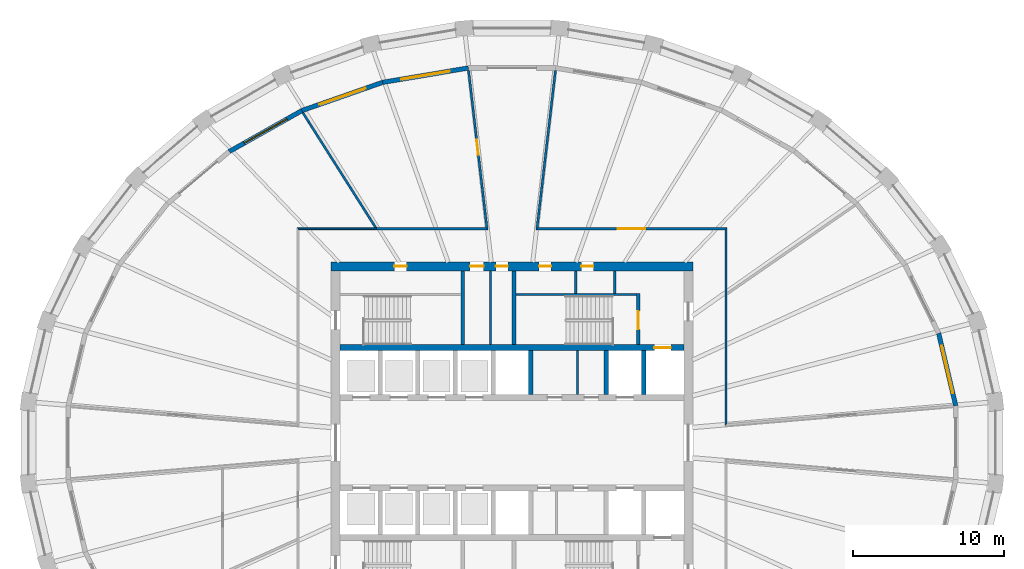
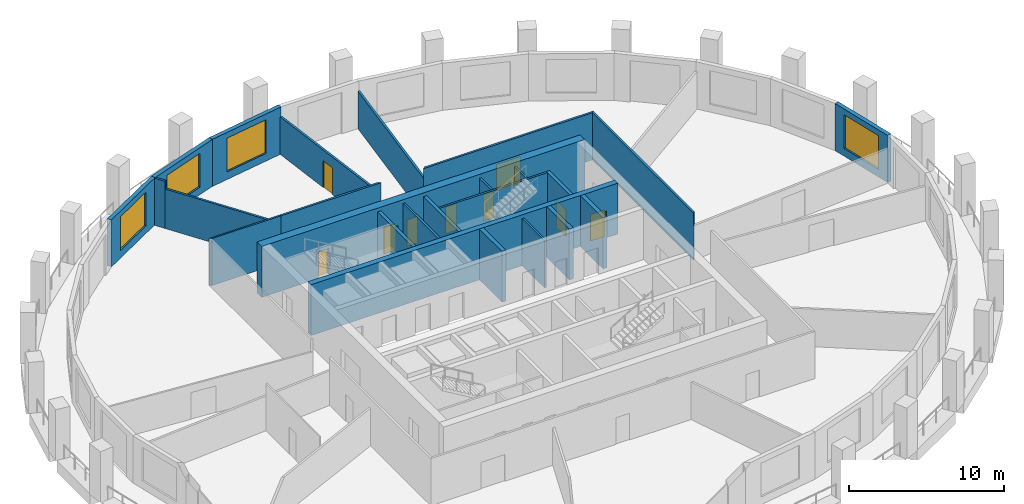
# One storey, part 6 of 10: 25 walls, 9 doors, 4 windows, 13 openings.
"""IFC4 building model written with IfcOpenShell, lengths in metres."""

from ifc_helpers import new_model, si_unit, direction, frame, frame_2d, origin, place, context, subcontext, project, spatial, polyline, rectangle, outline, extrude, material, layer, layer_set, type_object, element, fill, save


model = new_model("IFC4")

# Units and contexts
model_context = context("Model", 3, precision=1e-05, world=origin(), true_north=direction((0.0, 1.0)))
body_context = subcontext(model_context, "Body", "Model", "MODEL_VIEW")
ifc_project = project(units=[si_unit("LENGTHUNIT", "METRE"), si_unit("AREAUNIT", "SQUARE_METRE"), si_unit("VOLUMEUNIT", "CUBIC_METRE"), si_unit("PLANEANGLEUNIT", "RADIAN"), si_unit("MASSUNIT", "GRAM", prefix="KILO")], contexts=[model_context])

# Site, building, storey
site_placement = place(None, origin())
site = spatial("IfcSite", under=ifc_project, at=site_placement, CompositionType="ELEMENT")
building_placement = place(site_placement, origin())
building = spatial("IfcBuilding", under=site, at=building_placement, Name="Halqa Exchange Tower", CompositionType="ELEMENT")
storey_placement = place(building_placement, frame((0.0, 0.0, 202.89990234375)))
storey = spatial("IfcBuildingStorey", under=building, at=storey_placement, Name="L46", CompositionType="ELEMENT", Elevation=202.89990234375)

# Walls
ifc_material_1 = material(Name="Fire-rated gypsum board")
ifc_layer_1 = layer(ifc_material_1, 0.14990234375)
ifc_layer_set_1 = layer_set([ifc_layer_1], Name="Fire-rated gypsum board")
wall_type_1 = type_object("IfcWallType", Name="Fire partition EI 60 150", PredefinedType="PARTITIONING", material=ifc_layer_set_1)
wall_1_placement = place(storey_placement, frame((-9.022216796875, 14.235107421875, 0.0), z_axis=(0.0, 0.0, 1.0), x_axis=(-0.535448600055, 0.844567816519, 0.0)))
element("IfcWall", 1, at=wall_1_placement, inside=storey, type_object=wall_type_1, Name="L46-PWL-009", PredefinedType="PARTITIONING", context=body_context, shape_type="SweptSolid", body=[
    extrude(outline(polyline([(8.31884765625, 0.074951171875), (6.67041015625, 0.074951171875), (5.022216796875, 0.074951171875), (3.373779296875, 0.074951171875), (1.725341796875, 0.074951171875), (0.076904296875, 0.074951171875), (0.009033203125, -0.031982421875), (0.021728515625, -0.0400390625), (0.0, -0.074462890625), (0.0, -0.074951171875), (1.663818359375, -0.074951171875), (3.32763671875, -0.074951171875), (4.9912109375, -0.074951171875), (6.655029296875, -0.074951171875), (8.31884765625, -0.074951171875), (8.31884765625, 0.074951171875)])), origin(), (0.0, 0.0, 1.0), 3.10009765625),
])
wall_2_placement = place(storey_placement, frame((-9.0, 14.199951171875, 0.0), z_axis=(0.0, 0.0, 1.0), x_axis=(1.0, 0.0, 0.0)))
element("IfcWall", 2, at=wall_2_placement, inside=storey, type_object=wall_type_1, Name="L46-PWL-010", PredefinedType="PARTITIONING", context=body_context, shape_type="SweptSolid", body=[
    extrude(outline(polyline([(0.0, -0.074951171875), (1.85595703125, -0.074951171875), (3.712158203125, -0.074951171875), (5.568115234375, -0.074951171875), (7.42431640625, -0.074951171875), (7.255859375, 0.074951171875), (5.44189453125, 0.074951171875), (3.6279296875, 0.074951171875), (1.81396484375, 0.074951171875), (0.0, 0.074951171875), (0.0, -0.074951171875)])), origin(), (0.0, 0.0, 1.0), 3.7001953125),
])

# Wall, opening, door
wall_3_placement = place(storey_placement, frame((-1.650146484375, 14.1162109375, 0.0), z_axis=(0.0, 0.0, 1.0), x_axis=(-0.115779808049, 0.99327490457, 0.0)))
wall_3 = element("IfcWall", 3, at=wall_3_placement, inside=storey, type_object=wall_type_1, Name="L46-PWL-012", PredefinedType="PARTITIONING", context=body_context, shape_type="SweptSolid", body=[
    extrude(outline(polyline([(0.0, -0.074951171875), (1.776611328125, -0.074951171875), (3.552978515625, -0.074951171875), (5.329345703125, -0.074951171875), (7.105712890625, -0.074951171875), (8.88232421875, -0.074951171875), (10.65869140625, -0.074951171875), (10.66357421875, -0.032958984375), (10.66357421875, 0.074951171875), (8.914306640625, 0.074951171875), (7.165283203125, 0.074951171875), (5.416015625, 0.074951171875), (3.666748046875, 0.074951171875), (1.917724609375, 0.074951171875), (0.16845703125, 0.074951171875), (0.08447265625, 0.0), (0.0, -0.074951171875)])), origin(), (0.0, 0.0, 1.0), 2.947021484375),
])
opening_1_placement = place(wall_3_placement, frame((5.02587890625, 0.0, 0.0)))
opening_1 = element("IfcOpeningElement", 4, at=opening_1_placement, cuts=wall_3, Name="Opening 14-01", PredefinedType="OPENING", context=body_context, shape_type="SweptSolid", body=[
    extrude(rectangle(XDim=1.0, YDim=2.10009765625, at=frame_2d((0.5, 1.050048828125))), frame((0.0, 0.0869140625, 0.0), z_axis=(0.0, -1.0, 0.0), x_axis=(1.0, 0.0, 0.0)), (0.0, 0.0, 1.0), 0.173828125),
])
ifc_material_2 = material(Name="Steel fire door leaf", Category="steel")
door_type_1 = type_object("IfcDoorType", Name="Fire door FD30S 1000 x 2100", OperationType="SINGLE_SWING_LEFT", PredefinedType="DOOR", material=ifc_material_2)
door_1_placement = place(opening_1_placement, origin())
door_1 = element("IfcDoor", 5, at=door_1_placement, inside=storey, type_object=door_type_1, Name="L46-IDR-001", OperationType="SINGLE_SWING_LEFT", OverallHeight=2.10009765625, OverallWidth=1.0, PredefinedType="DOOR", context=body_context, shape_type="SweptSolid", body=[
    extrude(rectangle(XDim=1.0, YDim=2.10009765625, at=frame_2d((0.5, 1.050048828125))), frame((0.0, 0.02490234375, 0.0), z_axis=(0.0, -1.0, 0.0), x_axis=(1.0, 0.0, 0.0)), (0.0, 0.0, 1.0), 0.050048828125),
])
fill(opening_1, door_1)

wall_4_placement = place(storey_placement, frame((1.57568359375, 14.199951171875, 0.0), z_axis=(0.0, 0.0, 1.0), x_axis=(1.0, 0.0, 0.0)))
wall_4 = element("IfcWall", 6, at=wall_4_placement, inside=storey, type_object=wall_type_1, Name="L46-PWL-013", PredefinedType="PARTITIONING", context=body_context, shape_type="SweptSolid", body=[
    extrude(outline(polyline([(0.0, -0.074951171875), (1.792724609375, -0.074951171875), (3.58544921875, -0.074951171875), (5.37841796875, -0.074951171875), (7.171142578125, -0.074951171875), (8.9638671875, -0.074951171875), (10.756591796875, -0.074951171875), (12.54931640625, -0.074951171875), (12.69921875, 0.074951171875), (10.9091796875, 0.074951171875), (9.118896484375, 0.074951171875), (7.328857421875, 0.074951171875), (5.538818359375, 0.074951171875), (3.748779296875, 0.074951171875), (1.95849609375, 0.074951171875), (0.16845703125, 0.074951171875), (0.0, -0.074951171875)])), origin(), (0.0, 0.0, 1.0), 3.7001953125),
])
opening_2_placement = place(wall_4_placement, frame((5.4541015625, 0.0, 0.0)))
opening_2 = element("IfcOpeningElement", 7, at=opening_2_placement, cuts=wall_4, Name="Opening 14-09", PredefinedType="OPENING", context=body_context, shape_type="SweptSolid", body=[
    extrude(rectangle(XDim=1.800048828125, YDim=2.10009765625, at=frame_2d((0.89990234375, 1.050048828125))), frame((0.0, 0.0869140625, 0.0), z_axis=(0.0, -1.0, 0.0), x_axis=(1.0, 0.0, 0.0)), (0.0, 0.0, 1.0), 0.173828125),
])
door_type_2 = type_object("IfcDoorType", Name="Fire door FD30S double 1800 x 2100", OperationType="DOUBLE_DOOR_SINGLE_SWING", PredefinedType="DOOR", material=ifc_material_2)
door_2_placement = place(opening_2_placement, origin())
door_2 = element("IfcDoor", 8, at=door_2_placement, inside=storey, type_object=door_type_2, Name="L46-IDR-009", OperationType="DOUBLE_DOOR_SINGLE_SWING", OverallHeight=2.10009765625, OverallWidth=1.800048828125, PredefinedType="DOOR", context=body_context, shape_type="SweptSolid", body=[
    extrude(rectangle(XDim=1.800048828125, YDim=2.10009765625, at=frame_2d((0.89990234375, 1.050048828125))), frame((0.0, 0.02490234375, 0.0), z_axis=(0.0, -1.0, 0.0), x_axis=(1.0, 0.0, 0.0)), (0.0, 0.0, 1.0), 0.050048828125),
])
fill(opening_2, door_2)

# Walls
wall_5_placement = place(storey_placement, frame((2.884765625, 24.7080078125, 0.0), z_axis=(0.0, 0.0, 1.0), x_axis=(-0.115779808049, -0.99327490457, 0.0)))
element("IfcWall", 9, at=wall_5_placement, inside=storey, type_object=wall_type_1, Name="L46-PWL-014", PredefinedType="PARTITIONING", context=body_context, shape_type="SweptSolid", body=[
    extrude(outline(polyline([(0.0048828125, -0.074951171875), (1.78125, -0.074951171875), (3.5576171875, -0.074951171875), (5.334228515625, -0.074951171875), (7.110595703125, -0.074951171875), (8.886962890625, -0.074951171875), (10.663330078125, -0.074951171875), (10.5791015625, 0.0), (10.4951171875, 0.074951171875), (8.745849609375, 0.074951171875), (6.99658203125, 0.074951171875), (5.24755859375, 0.074951171875), (3.498291015625, 0.074951171875), (1.749267578125, 0.074951171875), (0.0, 0.074951171875), (0.0, -0.03369140625), (0.0048828125, -0.074951171875)])), origin(), (0.0, 0.0, 1.0), 2.947021484375),
])
wall_6_placement = place(storey_placement, frame((14.199951171875, 1.098388671875, 0.0), z_axis=(0.0, 0.0, 1.0), x_axis=(0.0, 1.0, 0.0)))
element("IfcWall", 10, at=wall_6_placement, inside=storey, type_object=wall_type_1, Name="L46-PWL-018", PredefinedType="PARTITIONING", context=body_context, shape_type="SweptSolid", body=[
    extrude(outline(polyline([(0.1630859375, -0.074951171875), (2.02197265625, -0.074951171875), (3.881103515625, -0.074951171875), (5.740234375, -0.074951171875), (7.599365234375, -0.074951171875), (9.458251953125, -0.074951171875), (11.3173828125, -0.074951171875), (13.176513671875, -0.074951171875), (13.026611328125, 0.074951171875), (11.165771484375, 0.074951171875), (9.3046875, 0.074951171875), (7.44384765625, 0.074951171875), (5.5830078125, 0.074951171875), (3.721923828125, 0.074951171875), (1.861083984375, 0.074951171875), (0.0, 0.074951171875), (0.1630859375, -0.074951171875)])), origin(), (0.0, 0.0, 1.0), 3.7001953125),
])
wall_7_placement = place(storey_placement, frame((-13.4765625, 21.260986328125, 0.0), z_axis=(0.0, 0.0, 1.0), x_axis=(-0.53535127514, 0.844629511802, 0.0)))
element("IfcWall", 11, at=wall_7_placement, inside=storey, type_object=wall_type_1, Name="L46-PWL-022", PredefinedType="PARTITIONING", context=body_context, shape_type="SweptSolid", body=[
    extrude(outline(polyline([(0.0, -0.074951171875), (0.73681640625, -0.074951171875), (0.753173828125, -0.004150390625), (0.757080078125, 0.069580078125), (0.757080078125, 0.074951171875), (0.0, 0.074951171875), (0.0, -0.074951171875)])), origin(), (0.0, 0.0, 1.0), 3.7001953125),
])
ifc_material_3 = material(Name="Fire-rated glazing", Category="glass")
ifc_layer_2 = layer(ifc_material_3, 0.1201171875)
ifc_layer_set_2 = layer_set([ifc_layer_2], Name="Fire-rated glazing")
wall_type_2 = type_object("IfcWallType", Name="Glazed fire partition EI 60 120", PredefinedType="PARTITIONING", material=ifc_layer_set_2)
wall_8_placement = place(storey_placement, frame((-14.260009765625, 14.199951171875, 0.0), z_axis=(0.0, 0.0, 1.0), x_axis=(1.0, 0.0, 0.0)))
element("IfcWall", 12, at=wall_8_placement, inside=storey, type_object=wall_type_2, Name="L46-PWL-008", PredefinedType="PARTITIONING", context=body_context, shape_type="SweptSolid", body=[
    extrude(outline(polyline([(5.260009765625, 0.06005859375), (3.506591796875, 0.06005859375), (1.75341796875, 0.06005859375), (0.0, 0.06005859375), (0.1201171875, -0.06005859375), (1.83349609375, -0.06005859375), (3.546630859375, -0.06005859375), (5.260009765625, -0.06005859375), (5.260009765625, 0.06005859375)])), origin(), (0.0, 0.0, 1.0), 3.7001953125),
])
ifc_material_4 = material(Name="Gypsum board")
ifc_layer_3 = layer(ifc_material_4, 0.14990234375)
ifc_layer_set_3 = layer_set([ifc_layer_3], Name="Gypsum board")
wall_type_3 = type_object("IfcWallType", Name="Penthouse riser wall 150 gypsum", PredefinedType="PARTITIONING", material=ifc_layer_set_3)
wall_9_placement = place(storey_placement, frame((-1.425048828125, 6.5, 0.0), z_axis=(0.0, 0.0, 1.0), x_axis=(0.0, 1.0, 0.0)))
element("IfcWall", 13, at=wall_9_placement, inside=storey, type_object=wall_type_3, Name="Partition W1.425 N", PredefinedType="PARTITIONING", context=body_context, shape_type="SweptSolid", body=[
    extrude(rectangle(XDim=4.89990234375, YDim=0.14990234375, at=frame_2d((2.449951171875, 0.0))), origin(), (0.0, 0.0, 1.0), 3.7001953125),
])
for number, where, z_axis, x_axis, name in (
    (14, (4.22509765625, 9.89990234375, 0.0), (0.0, 0.0, 1.0), (0.0, 1.0, 0.0), "Partition E4.225 N"),
    (15, (6.824951171875, 9.89990234375, 0.0), (0.0, 0.0, 1.0), (0.0, 1.0, 0.0), "Firefighting lobby west wall N"),
):
    element("IfcWall", number, at=place(storey_placement, frame(where, z_axis=z_axis, x_axis=x_axis)), inside=storey, type_object=wall_type_3, Name=name, PredefinedType="PARTITIONING", context=body_context, shape_type="SweptSolid", body=[
        extrude(rectangle(XDim=1.5, YDim=0.14990234375, at=frame_2d((0.75, 0.0))), origin(), (0.0, 0.0, 1.0), 3.7001953125),
    ])
wall_10_placement = place(storey_placement, frame((4.35009765625, 3.199951171875, 0.0), z_axis=(0.0, 0.0, 1.0), x_axis=(0.0, 1.0, 0.0)))
element("IfcWall", 16, at=wall_10_placement, inside=storey, type_object=wall_type_3, Name="Freed bay partition NE4.350", PredefinedType="PARTITIONING", context=body_context, shape_type="SweptSolid", body=[
    extrude(rectangle(XDim=2.900146484375, YDim=0.14990234375, at=frame_2d((1.4501953125, 0.0))), origin(), (0.0, 0.0, 1.0), 3.7001953125),
])
ifc_material_5 = material(Name="Concrete C60/75", Category="concrete")
ifc_layer_4 = layer(ifc_material_5, 0.300048828125)
ifc_layer_set_4 = layer_set([ifc_layer_4], Name="Concrete C60/75")
wall_type_4 = type_object("IfcWallType", Name="RC core wall 300", PredefinedType="SHEAR", material=ifc_layer_set_4)
for number, where, z_axis, x_axis, name in (
    (17, (1.25, 3.199951171875, 0.0), (0.0, 0.0, 1.0), (0.0, 1.0, 0.0), "Shaft divider N5"),
    (18, (6.25, 3.199951171875, 0.0), (0.0, 0.0, 1.0), (0.0, 1.0, 0.0), "Shaft divider N7"),
    (19, (8.75, 3.199951171875, 0.0), (0.0, 0.0, 1.0), (0.0, 1.0, 0.0), "Shaft divider N8"),
):
    element("IfcWall", number, at=place(storey_placement, frame(where, z_axis=z_axis, x_axis=x_axis)), inside=storey, type_object=wall_type_4, Name=name, PredefinedType="SHEAR", context=body_context, shape_type="SweptSolid", body=[
        extrude(rectangle(XDim=2.900146484375, YDim=0.300048828125, at=frame_2d((1.4501953125, 0.0))), origin(), (0.0, 0.0, 1.0), 4.0),
    ])

# Wall, opening, door
ifc_material_6 = material(Name="Concrete C70/85", Category="concrete")
ifc_layer_5 = layer(ifc_material_6, 0.39990234375)
ifc_layer_set_5 = layer_set([ifc_layer_5], Name="Concrete C70/85")
wall_type_5 = type_object("IfcWallType", Name="RC core wall 400 C70/85", PredefinedType="SHEAR", material=ifc_layer_set_5)
wall_11_placement = place(storey_placement, frame((-11.39990234375, 6.300048828125, 0.0), z_axis=(0.0, 0.0, 1.0), x_axis=(1.0, 0.0, 0.0)))
wall_11 = element("IfcWall", 20, at=wall_11_placement, inside=storey, type_object=wall_type_5, Name="Lift row back wall N", PredefinedType="SHEAR", context=body_context, shape_type="SweptSolid", body=[
    extrude(rectangle(XDim=22.7998046875, YDim=0.39990234375, at=frame_2d((11.39990234375, 0.0))), origin(), (0.0, 0.0, 1.0), 4.0),
])
opening_3_placement = place(wall_11_placement, frame((20.85009765625, 0.0, 0.0)))
opening_3 = element("IfcOpeningElement", 21, at=opening_3_placement, cuts=wall_11, Name="Opening LD-FF1-T14", PredefinedType="OPENING", context=body_context, shape_type="SweptSolid", body=[
    extrude(rectangle(XDim=1.10009765625, YDim=2.10009765625, at=frame_2d((0.550048828125, 1.050048828125))), frame((0.0, 0.2119140625, 0.0), z_axis=(0.0, -1.0, 0.0), x_axis=(1.0, 0.0, 0.0)), (0.0, 0.0, 1.0), 0.423828125),
])
ifc_material_7 = material(Name="Stainless steel", Category="steel")
door_type_3 = type_object("IfcDoorType", Name="Lift landing door 1100 x 2100", OperationType="SLIDING_TO_LEFT", PredefinedType="DOOR", material=ifc_material_7)
door_3_placement = place(opening_3_placement, origin())
door_3 = element("IfcDoor", 22, at=door_3_placement, inside=storey, type_object=door_type_3, Name="Lift landing door FF1", OperationType="SLIDING_TO_LEFT", OverallHeight=2.10009765625, OverallWidth=1.10009765625, PredefinedType="DOOR", context=body_context, shape_type="SweptSolid", body=[
    extrude(rectangle(XDim=1.10009765625, YDim=2.10009765625, at=frame_2d((0.550048828125, 1.050048828125))), frame((0.0, 0.02490234375, 0.0), z_axis=(0.0, -1.0, 0.0), x_axis=(1.0, 0.0, 0.0)), (0.0, 0.0, 1.0), 0.050048828125),
])
fill(opening_3, door_3)

# Wall, openings, doors
ifc_layer_6 = layer(ifc_material_6, 0.60009765625)
ifc_layer_set_6 = layer_set([ifc_layer_6], Name="Concrete C70/85")
wall_type_6 = type_object("IfcWallType", Name="RC core wall 600 C70/85", PredefinedType="SHEAR", material=ifc_layer_set_6)
wall_12_placement = place(storey_placement, frame((-12.0, 11.699951171875, 0.0), z_axis=(0.0, 0.0, 1.0), x_axis=(1.0, 0.0, 0.0)))
wall_12 = element("IfcWall", 23, at=wall_12_placement, inside=storey, type_object=wall_type_6, Name="Core wall north", PredefinedType="SHEAR", context=body_context, shape_type="SweptSolid", body=[
    extrude(rectangle(XDim=24.0, YDim=0.60009765625, at=frame_2d((12.0, 0.0))), origin(), (0.0, 0.0, 1.0), 4.0),
])
opening_4_placement = place(wall_12_placement, frame((9.22509765625, 0.0, 0.0)))
opening_4 = element("IfcOpeningElement", 24, at=opening_4_placement, cuts=wall_12, Name="Opening T14-C21", PredefinedType="OPENING", context=body_context, shape_type="SweptSolid", body=[
    extrude(rectangle(XDim=0.89990234375, YDim=2.10009765625, at=frame_2d((0.449951171875, 1.050048828125))), frame((0.0, 0.31201171875, 0.0), z_axis=(0.0, -1.0, 0.0), x_axis=(1.0, 0.0, 0.0)), (0.0, 0.0, 1.0), 0.6240234375),
])
opening_5_placement = place(wall_12_placement, frame((10.925048828125, 0.0, 0.0)))
opening_5 = element("IfcOpeningElement", 25, at=opening_5_placement, cuts=wall_12, Name="Opening T14-C22", PredefinedType="OPENING", context=body_context, shape_type="SweptSolid", body=[
    extrude(rectangle(XDim=0.800048828125, YDim=2.10009765625, at=frame_2d((0.39990234375, 1.050048828125))), frame((0.0, 0.31201171875, 0.0), z_axis=(0.0, -1.0, 0.0), x_axis=(1.0, 0.0, 0.0)), (0.0, 0.0, 1.0), 0.6240234375),
])
opening_6_placement = place(wall_12_placement, frame((4.199951171875, 0.0, 0.0)))
opening_6 = element("IfcOpeningElement", 26, at=opening_6_placement, cuts=wall_12, Name="Opening T14-C23", PredefinedType="OPENING", context=body_context, shape_type="SweptSolid", body=[
    extrude(rectangle(XDim=0.800048828125, YDim=2.10009765625, at=frame_2d((0.39990234375, 1.050048828125))), frame((0.0, 0.31201171875, 0.0), z_axis=(0.0, -1.0, 0.0), x_axis=(1.0, 0.0, 0.0)), (0.0, 0.0, 1.0), 0.6240234375),
])
opening_7_placement = place(wall_12_placement, frame((13.800048828125, 0.0, 0.0)))
opening_7 = element("IfcOpeningElement", 27, at=opening_7_placement, cuts=wall_12, Name="Opening T14-C24", PredefinedType="OPENING", context=body_context, shape_type="SweptSolid", body=[
    extrude(rectangle(XDim=0.800048828125, YDim=2.10009765625, at=frame_2d((0.39990234375, 1.050048828125))), frame((0.0, 0.31201171875, 0.0), z_axis=(0.0, -1.0, 0.0), x_axis=(1.0, 0.0, 0.0)), (0.0, 0.0, 1.0), 0.6240234375),
])
opening_8_placement = place(wall_12_placement, frame((16.60009765625, 0.0, 0.0)))
opening_8 = element("IfcOpeningElement", 28, at=opening_8_placement, cuts=wall_12, Name="Opening T14-C25", PredefinedType="OPENING", context=body_context, shape_type="SweptSolid", body=[
    extrude(rectangle(XDim=0.800048828125, YDim=2.10009765625, at=frame_2d((0.39990234375, 1.050048828125))), frame((0.0, 0.31201171875, 0.0), z_axis=(0.0, -1.0, 0.0), x_axis=(1.0, 0.0, 0.0)), (0.0, 0.0, 1.0), 0.6240234375),
])
ifc_material_8 = material(Name="Timber fire door leaf", Category="wood")
door_type_4 = type_object("IfcDoorType", Name="Core room door FD30 900 x 2100", OperationType="SINGLE_SWING_LEFT", PredefinedType="DOOR", material=ifc_material_8)
door_4_placement = place(opening_4_placement, frame((0.89990234375, 0.0, 0.0), z_axis=(0.0, 0.0, 1.0), x_axis=(-1.0, 0.0, 0.0)))
door_4 = element("IfcDoor", 29, at=door_4_placement, inside=storey, type_object=door_type_4, Name="Core room door", OperationType="SINGLE_SWING_RIGHT", OverallHeight=2.10009765625, OverallWidth=0.89990234375, PredefinedType="DOOR", context=body_context, shape_type="SweptSolid", body=[
    extrude(rectangle(XDim=0.89990234375, YDim=2.10009765625, at=frame_2d((0.449951171875, 1.050048828125))), frame((0.0, 0.02490234375, 0.0), z_axis=(0.0, -1.0, 0.0), x_axis=(1.0, 0.0, 0.0)), (0.0, 0.0, 1.0), 0.050048828125),
])
fill(opening_4, door_4)
door_type_5 = type_object("IfcDoorType", Name="Riser door FD60 800 x 2100", OperationType="SINGLE_SWING_LEFT", PredefinedType="DOOR", material=ifc_material_2)
door_5_placement = place(opening_5_placement, frame((0.800048828125, 0.0, 0.0), z_axis=(0.0, 0.0, 1.0), x_axis=(-1.0, 0.0, 0.0)))
door_5 = element("IfcDoor", 30, at=door_5_placement, inside=storey, type_object=door_type_5, Name="Core room door", OperationType="SINGLE_SWING_RIGHT", OverallHeight=2.10009765625, OverallWidth=0.800048828125, PredefinedType="DOOR", context=body_context, shape_type="SweptSolid", body=[
    extrude(rectangle(XDim=0.800048828125, YDim=2.10009765625, at=frame_2d((0.39990234375, 1.050048828125))), frame((0.0, 0.02490234375, 0.0), z_axis=(0.0, -1.0, 0.0), x_axis=(1.0, 0.0, 0.0)), (0.0, 0.0, 1.0), 0.050048828125),
])
fill(opening_5, door_5)
door_6_placement = place(opening_6_placement, frame((0.800048828125, 0.0, 0.0), z_axis=(0.0, 0.0, 1.0), x_axis=(-1.0, 0.0, 0.0)))
door_6 = element("IfcDoor", 31, at=door_6_placement, inside=storey, type_object=door_type_5, Name="Core room door", OperationType="SINGLE_SWING_RIGHT", OverallHeight=2.10009765625, OverallWidth=0.800048828125, PredefinedType="DOOR", context=body_context, shape_type="SweptSolid", body=[
    extrude(rectangle(XDim=0.800048828125, YDim=2.10009765625, at=frame_2d((0.39990234375, 1.050048828125))), frame((0.0, 0.02490234375, 0.0), z_axis=(0.0, -1.0, 0.0), x_axis=(1.0, 0.0, 0.0)), (0.0, 0.0, 1.0), 0.050048828125),
])
fill(opening_6, door_6)
door_7_placement = place(opening_7_placement, frame((0.800048828125, 0.0, 0.0), z_axis=(0.0, 0.0, 1.0), x_axis=(-1.0, 0.0, 0.0)))
door_7 = element("IfcDoor", 32, at=door_7_placement, inside=storey, type_object=door_type_5, Name="Core room door", OperationType="SINGLE_SWING_LEFT", OverallHeight=2.10009765625, OverallWidth=0.800048828125, PredefinedType="DOOR", context=body_context, shape_type="SweptSolid", body=[
    extrude(rectangle(XDim=0.800048828125, YDim=2.10009765625, at=frame_2d((0.39990234375, 1.050048828125))), frame((0.0, 0.02490234375, 0.0), z_axis=(0.0, -1.0, 0.0), x_axis=(1.0, 0.0, 0.0)), (0.0, 0.0, 1.0), 0.050048828125),
])
fill(opening_7, door_7)
door_8_placement = place(opening_8_placement, frame((0.800048828125, 0.0, 0.0), z_axis=(0.0, 0.0, 1.0), x_axis=(-1.0, 0.0, 0.0)))
door_8 = element("IfcDoor", 33, at=door_8_placement, inside=storey, type_object=door_type_5, Name="Core room door", OperationType="SINGLE_SWING_LEFT", OverallHeight=2.10009765625, OverallWidth=0.800048828125, PredefinedType="DOOR", context=body_context, shape_type="SweptSolid", body=[
    extrude(rectangle(XDim=0.800048828125, YDim=2.10009765625, at=frame_2d((0.39990234375, 1.050048828125))), frame((0.0, 0.02490234375, 0.0), z_axis=(0.0, -1.0, 0.0), x_axis=(1.0, 0.0, 0.0)), (0.0, 0.0, 1.0), 0.050048828125),
])
fill(opening_8, door_8)

# Walls
ifc_material_9 = material(Name="Concrete C30/37", Category="concrete")
ifc_layer_7 = layer(ifc_material_9, 0.14990234375)
ifc_layer_set_7 = layer_set([ifc_layer_7], Name="Concrete C30/37")
wall_type_7 = type_object("IfcWallType", Name="RC stair wall 150 C30/37", PredefinedType="SHEAR", material=ifc_layer_set_7)
wall_13_placement = place(storey_placement, frame((0.25, 9.824951171875, 0.0), z_axis=(0.0, 0.0, 1.0), x_axis=(1.0, 0.0, 0.0)))
element("IfcWall", 34, at=wall_13_placement, inside=storey, type_object=wall_type_7, Name="Stair ST2 north wall N", PredefinedType="SHEAR", context=body_context, shape_type="SweptSolid", body=[
    extrude(rectangle(XDim=8.0, YDim=0.14990234375, at=frame_2d((4.0, 0.0))), origin(), (0.0, 0.0, 1.0), 3.7001953125),
])
ifc_layer_8 = layer(ifc_material_9, 0.25)
ifc_layer_set_8 = layer_set([ifc_layer_8], Name="Concrete C30/37")
wall_type_8 = type_object("IfcWallType", Name="RC stair wall 250 C30/37", PredefinedType="SHEAR", material=ifc_layer_set_8)
for number, where, z_axis, x_axis, name in (
    (35, (-3.27490234375, 6.5, 0.0), (0.0, 0.0, 1.0), (0.0, 1.0, 0.0), "Stair ST1 east wall N"),
    (36, (0.125, 6.5, 0.0), (0.0, 0.0, 1.0), (0.0, 1.0, 0.0), "Stair ST2 west wall N"),
):
    element("IfcWall", number, at=place(storey_placement, frame(where, z_axis=z_axis, x_axis=x_axis)), inside=storey, type_object=wall_type_8, Name=name, PredefinedType="SHEAR", context=body_context, shape_type="SweptSolid", body=[
        extrude(rectangle(XDim=4.89990234375, YDim=0.25, at=frame_2d((2.449951171875, 0.0))), origin(), (0.0, 0.0, 1.0), 3.7001953125),
    ])

# Wall, opening, door
wall_14_placement = place(storey_placement, frame((8.375, 6.5, 0.0), z_axis=(0.0, 0.0, 1.0), x_axis=(0.0, 1.0, 0.0)))
wall_14 = element("IfcWall", 37, at=wall_14_placement, inside=storey, type_object=wall_type_8, Name="Stair ST2 east wall N", PredefinedType="SHEAR", context=body_context, shape_type="SweptSolid", body=[
    extrude(rectangle(XDim=3.39990234375, YDim=0.25, at=frame_2d((1.699951171875, 0.0))), origin(), (0.0, 0.0, 1.0), 3.7001953125),
])
opening_9_placement = place(wall_14_placement, frame((1.02490234375, 0.0, 0.0)))
opening_9 = element("IfcOpeningElement", 38, at=opening_9_placement, cuts=wall_14, Name="Opening T14-C16", PredefinedType="OPENING", context=body_context, shape_type="SweptSolid", body=[
    extrude(rectangle(XDim=1.199951171875, YDim=2.10009765625, at=frame_2d((0.60009765625, 1.050048828125))), frame((0.0, 0.136962890625, 0.0), z_axis=(0.0, -1.0, 0.0), x_axis=(1.0, 0.0, 0.0)), (0.0, 0.0, 1.0), 0.27392578125),
])
door_type_6 = type_object("IfcDoorType", Name="Stair door FD90 1200 x 2100", OperationType="SINGLE_SWING_LEFT", PredefinedType="DOOR", material=ifc_material_2)
door_9_placement = place(opening_9_placement, origin())
door_9 = element("IfcDoor", 39, at=door_9_placement, inside=storey, type_object=door_type_6, Name="Stair door ST2", OperationType="SINGLE_SWING_LEFT", OverallHeight=2.10009765625, OverallWidth=1.199951171875, PredefinedType="DOOR", context=body_context, shape_type="SweptSolid", body=[
    extrude(rectangle(XDim=1.199951171875, YDim=2.10009765625, at=frame_2d((0.60009765625, 1.050048828125))), frame((0.0, 0.02490234375, 0.0), z_axis=(0.0, -1.0, 0.0), x_axis=(1.0, 0.0, 0.0)), (0.0, 0.0, 1.0), 0.050048828125),
])
fill(opening_9, door_9)

# Wall, opening, window
ifc_material_10 = material(Name="Limestone cladding", Category="masonry")
ifc_layer_9 = layer(ifc_material_10, 0.0400390625)
ifc_material_11 = material(Name="Ventilated cavity")
ifc_layer_10 = layer(ifc_material_11, 0.030029296875, ventilated=True)
ifc_material_12 = material(Name="Mineral wool insulation")
ifc_layer_11 = layer(ifc_material_12, 0.10009765625)
ifc_layer_12 = layer(ifc_material_9, 0.10009765625)
ifc_material_13 = material(Name="Internal plaster")
ifc_layer_13 = layer(ifc_material_13, 0.030029296875)
ifc_layer_set_9 = layer_set([ifc_layer_9, ifc_layer_10, ifc_layer_11, ifc_layer_12, ifc_layer_13], Name="Stone-faced insulated wall 300")
wall_type_9 = type_object("IfcWallType", Name="Stone-faced insulated wall 300", PredefinedType="STANDARD", material=ifc_layer_set_9)
wall_15_placement = place(storey_placement, frame((29.445068359375, 2.451416015625, 0.0), z_axis=(0.0, 0.0, 1.0), x_axis=(-0.229535186351, 0.973300363828, 0.0)))
wall_15 = element("IfcWall", 40, at=wall_15_placement, inside=storey, type_object=wall_type_9, Name="Glass-line wall 1", PredefinedType="STANDARD", context=body_context, shape_type="SweptSolid", body=[
    extrude(outline(polyline([(-0.017333984375, -0.14990234375), (4.956298828125, -0.14990234375), (4.922607421875, 0.14990234375), (0.017333984375, 0.14990234375), (-0.017333984375, -0.14990234375)])), origin(), (0.0, 0.0, 1.0), 3.7001953125),
])
opening_10_placement = place(wall_15_placement, frame((0.8447265625, 0.0, 0.60009765625)))
opening_10 = element("IfcOpeningElement", 41, at=opening_10_placement, cuts=wall_15, Name="Opening W-F3-01", PredefinedType="OPENING", context=body_context, shape_type="SweptSolid", body=[
    extrude(rectangle(XDim=3.25, YDim=2.64990234375, at=frame_2d((1.625, 1.324951171875))), frame((0.0, 0.162109375, 0.0), z_axis=(0.0, -1.0, 0.0), x_axis=(1.0, 0.0, 0.0)), (0.0, 0.0, 1.0), 0.323974609375),
])
ifc_material_14 = material(Name="Clear low-emissivity glass in aluminium frame", Category="aluminium")
window_type = type_object("IfcWindowType", Name="Fixed clear glazed window 3250 x 2650", PartitioningType="TRIPLE_PANEL_VERTICAL", PredefinedType="WINDOW", material=ifc_material_14)
window_1_placement = place(opening_10_placement, origin())
window_1 = element("IfcWindow", 42, at=window_1_placement, inside=storey, type_object=window_type, Name="Window 3", OverallHeight=2.64990234375, OverallWidth=3.25, PartitioningType="TRIPLE_PANEL_VERTICAL", PredefinedType="WINDOW", context=body_context, shape_type="SweptSolid", body=[
    extrude(rectangle(XDim=3.25, YDim=2.64990234375, at=frame_2d((1.625, 1.324951171875))), frame((0.0, 0.030029296875, 0.0), z_axis=(0.0, -1.0, 0.0), x_axis=(1.0, 0.0, 0.0)), (0.0, 0.0, 1.0), 0.06005859375),
])
fill(opening_10, window_1)

wall_16_placement = place(storey_placement, frame((-2.897705078125, 24.86181640625, 0.0), z_axis=(0.0, 0.0, 1.0), x_axis=(-0.98622052717, -0.165436005116, 0.0)))
wall_16 = element("IfcWall", 43, at=wall_16_placement, inside=storey, type_object=wall_type_9, Name="Glass-line wall 9", PredefinedType="STANDARD", context=body_context, shape_type="SweptSolid", body=[
    extrude(outline(polyline([(-0.012451171875, -0.14990234375), (5.77685546875, -0.14990234375), (5.75146484375, 0.14990234375), (0.012451171875, 0.14990234375), (-0.012451171875, -0.14990234375)])), origin(), (0.0, 0.0, 1.0), 3.7001953125),
])
opening_11_placement = place(wall_16_placement, frame((1.257080078125, 0.0, 0.60009765625)))
opening_11 = element("IfcOpeningElement", 44, at=opening_11_placement, cuts=wall_16, Name="Opening W-F3-09", PredefinedType="OPENING", context=body_context, shape_type="SweptSolid", body=[
    extrude(rectangle(XDim=3.25, YDim=2.64990234375, at=frame_2d((1.625, 1.324951171875))), frame((0.0, 0.162109375, 0.0), z_axis=(0.0, -1.0, 0.0), x_axis=(1.0, 0.0, 0.0)), (0.0, 0.0, 1.0), 0.323974609375),
])
window_2_placement = place(opening_11_placement, origin())
window_2 = element("IfcWindow", 45, at=window_2_placement, inside=storey, type_object=window_type, Name="Window 3", OverallHeight=2.64990234375, OverallWidth=3.25, PartitioningType="TRIPLE_PANEL_VERTICAL", PredefinedType="WINDOW", context=body_context, shape_type="SweptSolid", body=[
    extrude(rectangle(XDim=3.25, YDim=2.64990234375, at=frame_2d((1.625, 1.324951171875))), frame((0.0, 0.030029296875, 0.0), z_axis=(0.0, -1.0, 0.0), x_axis=(1.0, 0.0, 0.0)), (0.0, 0.0, 1.0), 0.06005859375),
])
fill(opening_11, window_2)

wall_17_placement = place(storey_placement, frame((-8.58251953125, 23.908203125, 0.0), z_axis=(0.0, 0.0, 1.0), x_axis=(-0.944023272224, -0.329878858824, 0.0)))
wall_17 = element("IfcWall", 46, at=wall_17_placement, inside=storey, type_object=wall_type_9, Name="Glass-line wall 10", PredefinedType="STANDARD", context=body_context, shape_type="SweptSolid", body=[
    extrude(outline(polyline([(-0.0126953125, -0.14990234375), (5.68701171875, -0.14990234375), (5.66015625, 0.14990234375), (0.0126953125, 0.14990234375), (-0.0126953125, -0.14990234375)])), origin(), (0.0, 0.0, 1.0), 3.7001953125),
])
opening_12_placement = place(wall_17_placement, frame((1.2119140625, 0.0, 0.60009765625)))
opening_12 = element("IfcOpeningElement", 47, at=opening_12_placement, cuts=wall_17, Name="Opening W-F3-10", PredefinedType="OPENING", context=body_context, shape_type="SweptSolid", body=[
    extrude(rectangle(XDim=3.25, YDim=2.64990234375, at=frame_2d((1.625, 1.324951171875))), frame((0.0, 0.162109375, 0.0), z_axis=(0.0, -1.0, 0.0), x_axis=(1.0, 0.0, 0.0)), (0.0, 0.0, 1.0), 0.323974609375),
])
window_3_placement = place(opening_12_placement, origin())
window_3 = element("IfcWindow", 48, at=window_3_placement, inside=storey, type_object=window_type, Name="Window 3", OverallHeight=2.64990234375, OverallWidth=3.25, PartitioningType="TRIPLE_PANEL_VERTICAL", PredefinedType="WINDOW", context=body_context, shape_type="SweptSolid", body=[
    extrude(rectangle(XDim=3.25, YDim=2.64990234375, at=frame_2d((1.625, 1.324951171875))), frame((0.0, 0.030029296875, 0.0), z_axis=(0.0, -1.0, 0.0), x_axis=(1.0, 0.0, 0.0)), (0.0, 0.0, 1.0), 0.06005859375),
])
fill(opening_12, window_3)

wall_18_placement = place(storey_placement, frame((-13.9384765625, 22.03662109375, 0.0), z_axis=(0.0, 0.0, 1.0), x_axis=(-0.871140546168, -0.491033755278, 0.0)))
wall_18 = element("IfcWall", 49, at=wall_18_placement, inside=storey, type_object=wall_type_9, Name="Glass-line wall 11", PredefinedType="STANDARD", context=body_context, shape_type="SweptSolid", body=[
    extrude(outline(polyline([(-0.013427734375, -0.14990234375), (5.549560546875, -0.14990234375), (5.521240234375, 0.14990234375), (0.013427734375, 0.14990234375), (-0.013427734375, -0.14990234375)])), origin(), (0.0, 0.0, 1.0), 3.7001953125),
])
opening_13_placement = place(wall_18_placement, frame((1.142578125, 0.0, 0.60009765625)))
opening_13 = element("IfcOpeningElement", 50, at=opening_13_placement, cuts=wall_18, Name="Opening W-F3-11", PredefinedType="OPENING", context=body_context, shape_type="SweptSolid", body=[
    extrude(rectangle(XDim=3.25, YDim=2.64990234375, at=frame_2d((1.625, 1.324951171875))), frame((0.0, 0.162109375, 0.0), z_axis=(0.0, -1.0, 0.0), x_axis=(1.0, 0.0, 0.0)), (0.0, 0.0, 1.0), 0.323974609375),
])
window_4_placement = place(opening_13_placement, origin())
window_4 = element("IfcWindow", 51, at=window_4_placement, inside=storey, type_object=window_type, Name="Window 3", OverallHeight=2.64990234375, OverallWidth=3.25, PartitioningType="TRIPLE_PANEL_VERTICAL", PredefinedType="WINDOW", context=body_context, shape_type="SweptSolid", body=[
    extrude(rectangle(XDim=3.25, YDim=2.64990234375, at=frame_2d((1.625, 1.324951171875))), frame((0.0, 0.030029296875, 0.0), z_axis=(0.0, -1.0, 0.0), x_axis=(1.0, 0.0, 0.0)), (0.0, 0.0, 1.0), 0.06005859375),
])
fill(opening_13, window_4)

save(model, "model.ifc")
